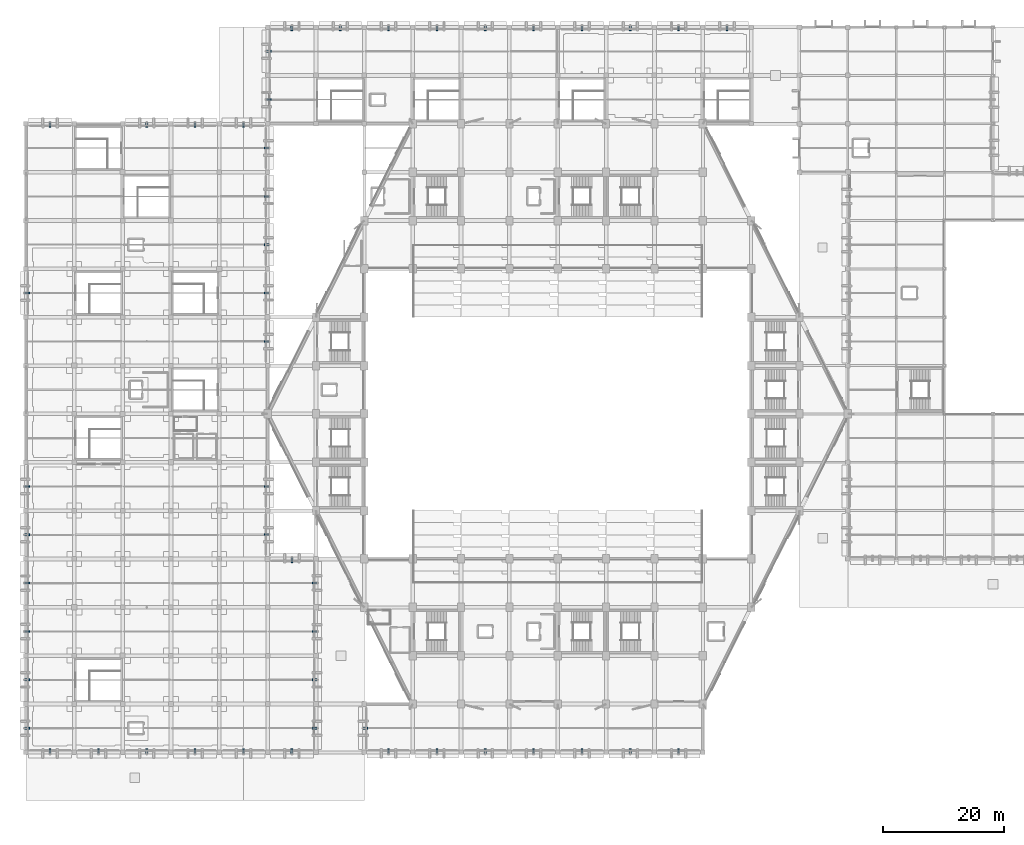
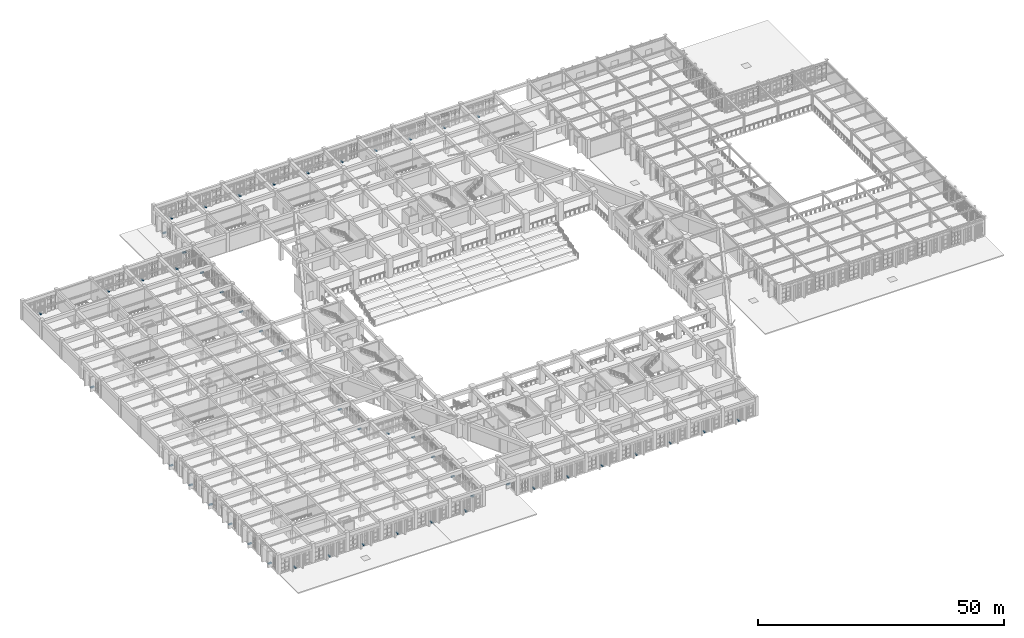
# One storey, part 145 of 155: 49 discrete accessories.
"""IFC4 building model written with IfcOpenShell, lengths in metres."""

from ifc_helpers import new_model, si_unit, direction, frame, origin, origin_2d, place, context, subcontext, project, spatial, rectangle, extrude, material, type_object, element, save


model = new_model("IFC4")

# Units and contexts
model_context = context("Model", 3, precision=1e-05, world=origin(), true_north=direction((0.0, 1.0)))
body_context = subcontext(model_context, "Body", "Model", "MODEL_VIEW")
ifc_project = project(units=[si_unit("LENGTHUNIT", "METRE"), si_unit("AREAUNIT", "SQUARE_METRE"), si_unit("VOLUMEUNIT", "CUBIC_METRE"), si_unit("PLANEANGLEUNIT", "RADIAN"), si_unit("MASSUNIT", "GRAM", prefix="KILO")], contexts=[model_context])

# Site, building, storey
site_placement = place(None, origin())
site = spatial("IfcSite", under=ifc_project, at=site_placement, CompositionType="ELEMENT")
building_placement = place(site_placement, origin())
building = spatial("IfcBuilding", under=site, at=building_placement, Name="Tazarka Park Arena", CompositionType="ELEMENT")
storey_placement = place(building_placement, frame((0.0, 0.0, 5.39990234375)))
storey = spatial("IfcBuildingStorey", under=building, at=storey_placement, Name="L01", CompositionType="ELEMENT", Elevation=5.39990234375)

# Discrete accessories
ifc_material = material(Name="Steel S355", Category="steel")
discrete_accessory_type = type_object("IfcDiscreteAccessoryType", Name="BRK-01", PredefinedType="BRACKET", material=ifc_material)
for number, where, z_axis, x_axis, name in (
    (1, (56.219970703125, 12.0, -0.10009765625), (0.0, 0.0, 1.0), (0.0, 1.0, 0.0), "BRK-BS-001"),
    (2, (60.0, 8.219970703125, -0.10009765625), (0.0, 0.0, 1.0), (-1.0, 0.0, 0.0), "BRK-BS-002"),
    (3, (68.0, 8.219970703125, -0.10009765625), (0.0, 0.0, 1.0), (-1.0, 0.0, 0.0), "BRK-BS-003"),
    (4, (76.0, 8.219970703125, -0.10009765625), (0.0, 0.0, 1.0), (-1.0, 0.0, 0.0), "BRK-BS-004"),
    (5, (84.0, 8.219970703125, -0.10009765625), (0.0, 0.0, 1.0), (-1.0, 0.0, 0.0), "BRK-BS-005"),
    (6, (92.0, 8.219970703125, -0.10009765625), (0.0, 0.0, 1.0), (-1.0, 0.0, 0.0), "BRK-BS-006"),
    (7, (100.0, 8.219970703125, -0.10009765625), (0.0, 0.0, 1.0), (-1.0, 0.0, 0.0), "BRK-BS-007"),
    (8, (108.0, 8.219970703125, -0.10009765625), (0.0, 0.0, 1.0), (-1.0, 0.0, 0.0), "BRK-BS-008"),
    (9, (116.0, 127.780029296875, -0.10009765625), (0.0, 0.0, 1.0), (1.0, 0.0, 0.0), "BRK-BS-009"),
    (10, (108.0, 127.780029296875, -0.10009765625), (0.0, 0.0, 1.0), (1.0, 0.0, 0.0), "BRK-BS-010"),
    (11, (100.0, 127.780029296875, -0.10009765625), (0.0, 0.0, 1.0), (1.0, 0.0, 0.0), "BRK-BS-011"),
    (12, (92.0, 127.780029296875, -0.10009765625), (0.0, 0.0, 1.0), (1.0, 0.0, 0.0), "BRK-BS-012"),
    (13, (84.0, 127.780029296875, -0.10009765625), (0.0, 0.0, 1.0), (1.0, 0.0, 0.0), "BRK-BS-013"),
    (14, (76.0, 127.780029296875, -0.10009765625), (0.0, 0.0, 1.0), (1.0, 0.0, 0.0), "BRK-BS-014"),
    (15, (68.0, 127.780029296875, -0.10009765625), (0.0, 0.0, 1.0), (1.0, 0.0, 0.0), "BRK-BS-015"),
    (16, (60.0, 127.780029296875, -0.10009765625), (0.0, 0.0, 1.0), (1.0, 0.0, 0.0), "BRK-BS-016"),
    (17, (52.0, 127.780029296875, -0.10009765625), (0.0, 0.0, 1.0), (1.0, 0.0, 0.0), "BRK-BS-017"),
    (18, (44.0, 127.780029296875, -0.10009765625), (0.0, 0.0, 1.0), (1.0, 0.0, 0.0), "BRK-BS-018"),
    (19, (40.219970703125, 124.0, -0.10009765625), (0.0, 0.0, 1.0), (0.0, 1.0, 0.0), "BRK-BS-019"),
    (20, (40.219970703125, 116.0, -0.10009765625), (0.0, 0.0, 1.0), (0.0, 1.0, 0.0), "BRK-BS-020"),
    (21, (0.219970703125, 28.0, -0.10009765625), (0.0, 0.0, 1.0), (0.0, 1.0, 0.0), "BRK-BS-021"),
    (22, (0.219970703125, 20.0, -0.10009765625), (0.0, 0.0, 1.0), (0.0, 1.0, 0.0), "BRK-BS-022"),
    (23, (0.219970703125, 12.0, -0.10009765625), (0.0, 0.0, 1.0), (0.0, 1.0, 0.0), "BRK-BS-023"),
    (24, (4.0, 8.219970703125, -0.10009765625), (0.0, 0.0, 1.0), (-1.0, 0.0, 0.0), "BRK-BS-024"),
    (25, (12.0, 8.219970703125, -0.10009765625), (0.0, 0.0, 1.0), (-1.0, 0.0, 0.0), "BRK-BS-025"),
    (26, (20.0, 8.219970703125, -0.10009765625), (0.0, 0.0, 1.0), (-1.0, 0.0, 0.0), "BRK-BS-026"),
    (27, (28.0, 8.219970703125, -0.10009765625), (0.0, 0.0, 1.0), (-1.0, 0.0, 0.0), "BRK-BS-027"),
    (28, (36.0, 8.219970703125, -0.10009765625), (0.0, 0.0, 1.0), (-1.0, 0.0, 0.0), "BRK-BS-028"),
    (29, (44.0, 8.219970703125, -0.10009765625), (0.0, 0.0, 1.0), (-1.0, 0.0, 0.0), "BRK-BS-029"),
    (30, (47.780029296875, 12.0, -0.10009765625), (0.0, 0.0, 1.0), (0.0, -1.0, 0.0), "BRK-BS-030"),
    (31, (47.780029296875, 20.0, -0.10009765625), (0.0, 0.0, 1.0), (0.0, -1.0, 0.0), "BRK-BS-031"),
    (32, (47.780029296875, 27.97509765625, -0.10009765625), (0.0, 0.0, 1.0), (0.0, -1.0, 0.0), "BRK-BS-032"),
    (33, (47.780029296875, 36.02490234375, -0.10009765625), (0.0, 0.0, 1.0), (0.0, -1.0, 0.0), "BRK-BS-033"),
    (34, (44.02490234375, 39.780029296875, -0.10009765625), (0.0, 0.0, 1.0), (1.0, 0.0, 0.0), "BRK-BS-034"),
    (35, (39.780029296875, 44.02490234375, -0.10009765625), (0.0, 0.0, 1.0), (0.0, -1.0, 0.0), "BRK-BS-035"),
    (36, (39.780029296875, 52.0, -0.10009765625), (0.0, 0.0, 1.0), (0.0, -1.0, 0.0), "BRK-BS-036"),
    (37, (39.780029296875, 75.97509765625, -0.10009765625), (0.0, 0.0, 1.0), (0.0, -1.0, 0.0), "BRK-BS-037"),
    (38, (39.780029296875, 84.02490234375, -0.10009765625), (0.0, 0.0, 1.0), (0.0, -1.0, 0.0), "BRK-BS-038"),
    (39, (39.780029296875, 92.0, -0.10009765625), (0.0, 0.0, 1.0), (0.0, -1.0, 0.0), "BRK-BS-039"),
    (40, (39.780029296875, 100.0, -0.10009765625), (0.0, 0.0, 1.0), (0.0, -1.0, 0.0), "BRK-BS-040"),
    (41, (39.780029296875, 108.0, -0.10009765625), (0.0, 0.0, 1.0), (0.0, -1.0, 0.0), "BRK-BS-041"),
    (42, (36.0, 111.780029296875, -0.10009765625), (0.0, 0.0, 1.0), (1.0, 0.0, 0.0), "BRK-BS-042"),
    (43, (28.0, 111.780029296875, -0.10009765625), (0.0, 0.0, 1.0), (1.0, 0.0, 0.0), "BRK-BS-043"),
    (44, (20.0, 111.780029296875, -0.10009765625), (0.0, 0.0, 1.0), (1.0, 0.0, 0.0), "BRK-BS-044"),
    (45, (4.0, 111.780029296875, -0.10009765625), (0.0, 0.0, 1.0), (1.0, 0.0, 0.0), "BRK-BS-045"),
    (46, (0.219970703125, 84.0, -0.10009765625), (0.0, 0.0, 1.0), (0.0, 1.0, 0.0), "BRK-BS-046"),
    (47, (0.219970703125, 52.0, -0.10009765625), (0.0, 0.0, 1.0), (0.0, 1.0, 0.0), "BRK-BS-047"),
    (48, (0.219970703125, 44.0, -0.10009765625), (0.0, 0.0, 1.0), (0.0, 1.0, 0.0), "BRK-BS-048"),
    (49, (0.219970703125, 36.0, -0.10009765625), (0.0, 0.0, 1.0), (0.0, 1.0, 0.0), "BRK-BS-049"),
):
    element("IfcDiscreteAccessory", number, at=place(storey_placement, frame(where, z_axis=z_axis, x_axis=x_axis)), inside=storey, type_object=discrete_accessory_type, Name=name, PredefinedType="BRACKET", context=body_context, shape_type="SweptSolid", body=[
        extrude(rectangle(XDim=0.280029296875, YDim=0.760009765625, at=origin_2d()), origin(), (0.0, 0.0, 1.0), 0.239990234375),
    ])

save(model, "model.ifc")
